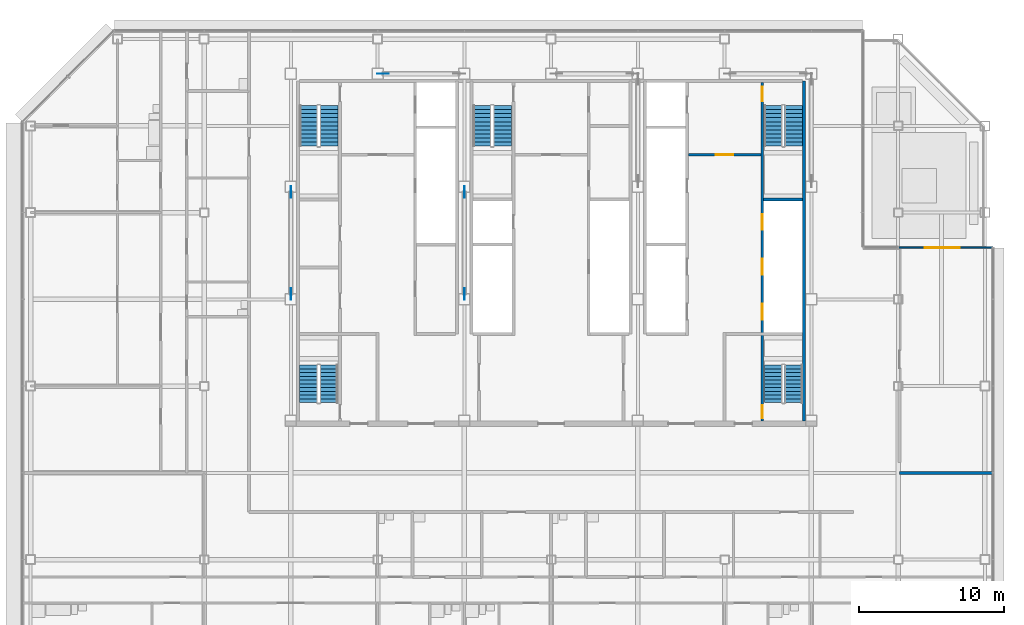
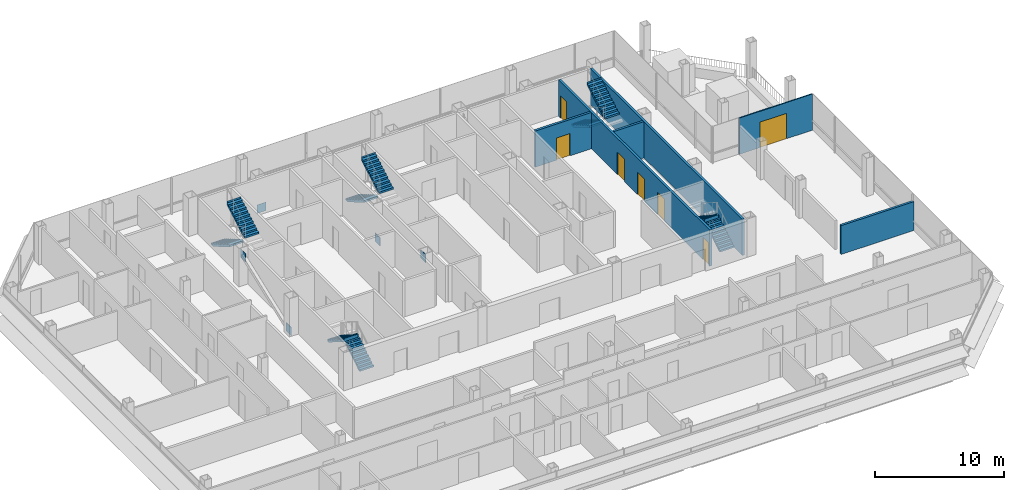
# One storey, part 24 of 29: 10 stair flights, 7 doors, 6 walls, 5 discrete accessories, 7 openings, 5 elements without a shape of their own.
"""IFC4 building model written with IfcOpenShell, lengths in metres."""

from ifc_helpers import new_model, si_unit, direction, frame, frame_2d, origin, origin_2d, place, context, subcontext, project, spatial, polyline, rectangle, outline, extrude, material, layer, layer_set, type_object, element, fill, aggregate, save


model = new_model("IFC4")

# Units and contexts
model_context = context("Model", 3, precision=1e-05, world=origin(), true_north=direction((0.0, 1.0)))
body_context = subcontext(model_context, "Body", "Model", "MODEL_VIEW")
ifc_project = project(units=[si_unit("LENGTHUNIT", "METRE"), si_unit("AREAUNIT", "SQUARE_METRE"), si_unit("VOLUMEUNIT", "CUBIC_METRE"), si_unit("PLANEANGLEUNIT", "RADIAN"), si_unit("MASSUNIT", "GRAM", prefix="KILO")], contexts=[model_context])

# Site, building, storey
site_placement = place(None, origin())
site = spatial("IfcSite", under=ifc_project, at=site_placement, CompositionType="ELEMENT")
building_placement = place(site_placement, origin())
building = spatial("IfcBuilding", under=site, at=building_placement, Name="Sorahane Residences", CompositionType="ELEMENT")
storey_placement = place(building_placement, frame((0.0, 0.0, 199.199951171875)))
storey = spatial("IfcBuildingStorey", under=building, at=storey_placement, Name="L46", CompositionType="ELEMENT", Elevation=199.199951171875)

# Walls
ifc_material_1 = material(Name="Concrete C30", Category="concrete")
ifc_layer_1 = layer(ifc_material_1, 0.199951171875)
ifc_layer_set_1 = layer_set([ifc_layer_1], Name="Core face wall 200 EI 180")
wall_type_1 = type_object("IfcWallType", Name="Core face wall 200 EI 180", PredefinedType="SOLIDWALL", material=ifc_layer_set_1)
wall_1_placement = place(storey_placement, frame((41.5, 21.60009765625, 0.0), z_axis=(0.0, 0.0, 1.0), x_axis=(0.0, 1.0, 0.0)))
element("IfcWall", 1, at=wall_1_placement, inside=storey, type_object=wall_type_1, Name="L46 core face wall", PredefinedType="SOLIDWALL", context=body_context, shape_type="SweptSolid", body=[
    extrude(rectangle(XDim=23.5, YDim=0.199951171875, at=frame_2d((11.75, 0.0))), origin(), (0.0, 0.0, 1.0), 3.420166015625),
])
ifc_material_2 = material(Name="Concrete blockwork C20 wall", Category="masonry")
ifc_layer_2 = layer(ifc_material_2, 0.199951171875)
ifc_layer_set_2 = layer_set([ifc_layer_2], Name="Corridor wall 200 EI 120")
wall_type_2 = type_object("IfcWallType", Name="Corridor wall 200 EI 120", PredefinedType="SOLIDWALL", material=ifc_layer_set_2)
wall_2_placement = place(storey_placement, frame((48.10009765625, 18.0, 0.0), z_axis=(0.0, 0.0, 1.0), x_axis=(1.0, 0.0, 0.0)))
element("IfcWall", 2, at=wall_2_placement, inside=storey, type_object=wall_type_2, Name="L46 corridor wall", PredefinedType="SOLIDWALL", context=body_context, shape_type="SweptSolid", body=[
    extrude(rectangle(XDim=6.5, YDim=0.199951171875, at=frame_2d((3.25, 0.0))), origin(), (0.0, 0.0, 1.0), 2.719970703125),
])

# Wall, opening, door
ifc_material_3 = material(Name="Concrete C30", Category="concrete")
ifc_layer_3 = layer(ifc_material_3, 0.199951171875)
ifc_layer_set_3 = layer_set([ifc_layer_3], Name="Front room wall 200 EI 120")
wall_type_3 = type_object("IfcWallType", Name="Front room wall 200 EI 120", PredefinedType="PARTITIONING", material=ifc_layer_set_3)
wall_3_placement = place(storey_placement, frame((33.5, 40.0, 0.0), z_axis=(0.0, 0.0, 1.0), x_axis=(1.0, 0.0, 0.0)))
wall_3 = element("IfcWall", 3, at=wall_3_placement, inside=storey, type_object=wall_type_3, Name="L46 front room wall", PredefinedType="PARTITIONING", context=body_context, shape_type="SweptSolid", body=[
    extrude(rectangle(XDim=5.0, YDim=0.199951171875, at=frame_2d((2.5, 0.0))), origin(), (0.0, 0.0, 1.0), 3.420166015625),
])
opening_1_placement = place(wall_3_placement, frame((1.89990234375, 0.0, 0.0)))
opening_1 = element("IfcOpeningElement", 4, at=opening_1_placement, cuts=wall_3, Name="Opening L46-C10", PredefinedType="OPENING", context=body_context, shape_type="SweptSolid", body=[
    extrude(rectangle(XDim=1.199951171875, YDim=2.10009765625, at=frame_2d((0.60009765625, 1.050048828125))), frame((0.0, 0.10986328125, 0.0), z_axis=(0.0, -1.0, 0.0), x_axis=(1.0, 0.0, 0.0)), (0.0, 0.0, 1.0), 0.219970703125),
])
ifc_material_4 = material(Name="Steel", Category="steel")
door_type_1 = type_object("IfcDoorType", Name="Front room door 1200x2100 FD120", OperationType="NOTDEFINED", PredefinedType="DOOR", material=ifc_material_4)
door_1_placement = place(opening_1_placement, frame((1.199951171875, 0.0, 0.0), z_axis=(0.0, 0.0, 1.0), x_axis=(-1.0, 0.0, 0.0)))
door_1 = element("IfcDoor", 5, at=door_1_placement, inside=storey, type_object=door_type_1, Name="Front room door Firefighting lobby FF2 front room L46", OperationType="DOUBLE_DOOR_SINGLE_SWING", OverallHeight=2.10009765625, OverallWidth=1.199951171875, PredefinedType="DOOR", context=body_context, shape_type="SweptSolid", body=[
    extrude(rectangle(XDim=1.199951171875, YDim=2.10009765625, at=frame_2d((0.60009765625, 1.050048828125))), frame((0.0, 0.02490234375, 0.0), z_axis=(0.0, -1.0, 0.0), x_axis=(1.0, 0.0, 0.0)), (0.0, 0.0, 1.0), 0.050048828125),
])
fill(opening_1, door_1)

ifc_material_5 = material(Name="Toughened low-iron glass", Category="glass")
ifc_layer_4 = layer(ifc_material_5, 0.10009765625)
ifc_layer_set_4 = layer_set([ifc_layer_4], Name="Glazed door screen toughened low-iron glass 100")
wall_type_4 = type_object("IfcWallType", Name="Glazed door screen toughened low-iron glass 100", PredefinedType="SOLIDWALL", material=ifc_layer_set_4)
wall_4_placement = place(storey_placement, frame((54.550048828125, 33.570068359375, 0.0), z_axis=(0.0, 0.0, 1.0), x_axis=(-1.0, 0.0, 0.0)))
wall_4 = element("IfcWall", 6, at=wall_4_placement, inside=storey, type_object=wall_type_4, Name="Glazed door screen L46 N1.1", PredefinedType="SOLIDWALL", context=body_context, shape_type="SweptSolid", body=[
    extrude(rectangle(XDim=6.525146484375, YDim=0.10009765625, at=frame_2d((3.2626953125, 0.0))), origin(), (0.0, 0.0, 1.0), 3.420166015625),
])
opening_2_placement = place(wall_4_placement, frame((2.300048828125, 0.0, 0.0)))
opening_2 = element("IfcOpeningElement", 7, at=opening_2_placement, cuts=wall_4, Name="Opening L46-F01", PredefinedType="OPENING", context=body_context, shape_type="SweptSolid", body=[
    extrude(rectangle(XDim=2.39990234375, YDim=2.39990234375, at=frame_2d((1.199951171875, 1.199951171875))), frame((0.0, 0.06005859375, 0.0), z_axis=(0.0, -1.0, 0.0), x_axis=(1.0, 0.0, 0.0)), (0.0, 0.0, 1.0), 0.1201171875),
])
ifc_material_6 = material(Name="Black anodised aluminium and low-iron glass", Category="aluminium")
door_type_2 = type_object("IfcDoorType", Name="Glazed terrace door black aluminium 2400x2400", OperationType="DOUBLE_DOOR_SINGLE_SWING", PredefinedType="DOOR", material=ifc_material_6)
door_2_placement = place(opening_2_placement, origin())
door_2 = element("IfcDoor", 8, at=door_2_placement, inside=storey, type_object=door_type_2, Name="Terrace door L46-F01", OperationType="DOUBLE_DOOR_SINGLE_SWING", OverallHeight=2.39990234375, OverallWidth=2.39990234375, PredefinedType="DOOR", context=body_context, shape_type="SweptSolid", body=[
    extrude(rectangle(XDim=2.39990234375, YDim=2.39990234375, at=frame_2d((1.199951171875, 1.199951171875))), frame((0.0, 0.02490234375, 0.0), z_axis=(0.0, -1.0, 0.0), x_axis=(1.0, 0.0, 0.0)), (0.0, 0.0, 1.0), 0.050048828125),
])
fill(opening_2, door_2)

# Wall, openings, doors
ifc_material_7 = material(Name="Concrete C30", Category="concrete")
ifc_layer_5 = layer(ifc_material_7, 0.199951171875)
ifc_layer_set_5 = layer_set([ifc_layer_5], Name="Stair enclosure wall 200 EI 120")
wall_type_5 = type_object("IfcWallType", Name="Stair enclosure wall 200 EI 120", PredefinedType="SOLIDWALL", material=ifc_layer_set_5)
wall_5_placement = place(storey_placement, frame((38.60009765625, 21.60009765625, 0.0), z_axis=(0.0, 0.0, 1.0), x_axis=(0.0, 1.0, 0.0)))
wall_5 = element("IfcWall", 9, at=wall_5_placement, inside=storey, type_object=wall_type_5, Name="L46 stair enclosure wall", PredefinedType="SOLIDWALL", context=body_context, shape_type="SweptSolid", body=[
    extrude(rectangle(XDim=23.39990234375, YDim=0.199951171875, at=frame_2d((11.699951171875, 0.0))), origin(), (0.0, 0.0, 1.0), 3.420166015625),
])
opening_3_placement = place(wall_5_placement, frame((7.0, 0.0, 0.0)))
opening_3 = element("IfcOpeningElement", 10, at=opening_3_placement, cuts=wall_5, Name="Opening L46-C11", PredefinedType="OPENING", context=body_context, shape_type="SweptSolid", body=[
    extrude(rectangle(XDim=1.10009765625, YDim=2.10009765625, at=frame_2d((0.550048828125, 1.050048828125))), frame((0.0, 0.10986328125, 0.0), z_axis=(0.0, -1.0, 0.0), x_axis=(1.0, 0.0, 0.0)), (0.0, 0.0, 1.0), 0.219970703125),
])
opening_4_placement = place(wall_5_placement, frame((10.10009765625, 0.0, 0.0)))
opening_4 = element("IfcOpeningElement", 11, at=opening_4_placement, cuts=wall_5, Name="Opening L46-C12", PredefinedType="OPENING", context=body_context, shape_type="SweptSolid", body=[
    extrude(rectangle(XDim=1.10009765625, YDim=2.10009765625, at=frame_2d((0.550048828125, 1.050048828125))), frame((0.0, 0.10986328125, 0.0), z_axis=(0.0, -1.0, 0.0), x_axis=(1.0, 0.0, 0.0)), (0.0, 0.0, 1.0), 0.219970703125),
])
opening_5_placement = place(wall_5_placement, frame((13.199951171875, 0.0, 0.0)))
opening_5 = element("IfcOpeningElement", 12, at=opening_5_placement, cuts=wall_5, Name="Opening L46-C13", PredefinedType="OPENING", context=body_context, shape_type="SweptSolid", body=[
    extrude(rectangle(XDim=1.10009765625, YDim=2.10009765625, at=frame_2d((0.550048828125, 1.050048828125))), frame((0.0, 0.10986328125, 0.0), z_axis=(0.0, -1.0, 0.0), x_axis=(1.0, 0.0, 0.0)), (0.0, 0.0, 1.0), 0.219970703125),
])
opening_6_placement = place(wall_5_placement, frame((22.10009765625, 0.0, 0.0)))
opening_6 = element("IfcOpeningElement", 13, at=opening_6_placement, cuts=wall_5, Name="Opening L46-C22", PredefinedType="OPENING", context=body_context, shape_type="SweptSolid", body=[
    extrude(rectangle(XDim=1.0, YDim=2.10009765625, at=frame_2d((0.5, 1.050048828125))), frame((0.0, 0.10986328125, 0.0), z_axis=(0.0, -1.0, 0.0), x_axis=(1.0, 0.0, 0.0)), (0.0, 0.0, 1.0), 0.219970703125),
])
opening_7_placement = place(wall_5_placement, frame((0.175048828125, 0.0, 0.0)))
opening_7 = element("IfcOpeningElement", 14, at=opening_7_placement, cuts=wall_5, Name="Opening L46-C25", PredefinedType="OPENING", context=body_context, shape_type="SweptSolid", body=[
    extrude(rectangle(XDim=0.89990234375, YDim=2.10009765625, at=frame_2d((0.449951171875, 1.050048828125))), frame((0.0, 0.10986328125, 0.0), z_axis=(0.0, -1.0, 0.0), x_axis=(1.0, 0.0, 0.0)), (0.0, 0.0, 1.0), 0.219970703125),
])
ifc_material_8 = material(Name="Aluminium and stainless steel", Category="steel")
door_type_3 = type_object("IfcDoorType", Name="Lift landing door 1100x2100 E 60", OperationType="NOTDEFINED", PredefinedType="DOOR", material=ifc_material_8)
door_3_placement = place(opening_3_placement, origin())
door_3 = element("IfcDoor", 15, at=door_3_placement, inside=storey, type_object=door_type_3, Name="Lift landing door HR1 L46", OperationType="DOUBLE_DOOR_SLIDING", OverallHeight=2.10009765625, OverallWidth=1.10009765625, PredefinedType="DOOR", context=body_context, shape_type="SweptSolid", body=[
    extrude(rectangle(XDim=1.10009765625, YDim=2.10009765625, at=frame_2d((0.550048828125, 1.050048828125))), frame((0.0, 0.02490234375, 0.0), z_axis=(0.0, -1.0, 0.0), x_axis=(1.0, 0.0, 0.0)), (0.0, 0.0, 1.0), 0.050048828125),
])
fill(opening_3, door_3)
door_4_placement = place(opening_4_placement, origin())
door_4 = element("IfcDoor", 16, at=door_4_placement, inside=storey, type_object=door_type_3, Name="Lift landing door HR2 L46", OperationType="DOUBLE_DOOR_SLIDING", OverallHeight=2.10009765625, OverallWidth=1.10009765625, PredefinedType="DOOR", context=body_context, shape_type="SweptSolid", body=[
    extrude(rectangle(XDim=1.10009765625, YDim=2.10009765625, at=frame_2d((0.550048828125, 1.050048828125))), frame((0.0, 0.02490234375, 0.0), z_axis=(0.0, -1.0, 0.0), x_axis=(1.0, 0.0, 0.0)), (0.0, 0.0, 1.0), 0.050048828125),
])
fill(opening_4, door_4)
door_5_placement = place(opening_5_placement, origin())
door_5 = element("IfcDoor", 17, at=door_5_placement, inside=storey, type_object=door_type_3, Name="Lift landing door HR3 L46", OperationType="DOUBLE_DOOR_SLIDING", OverallHeight=2.10009765625, OverallWidth=1.10009765625, PredefinedType="DOOR", context=body_context, shape_type="SweptSolid", body=[
    extrude(rectangle(XDim=1.10009765625, YDim=2.10009765625, at=frame_2d((0.550048828125, 1.050048828125))), frame((0.0, 0.02490234375, 0.0), z_axis=(0.0, -1.0, 0.0), x_axis=(1.0, 0.0, 0.0)), (0.0, 0.0, 1.0), 0.050048828125),
])
fill(opening_5, door_5)
ifc_material_9 = material(Name="Steel", Category="steel")
door_type_4 = type_object("IfcDoorType", Name="Stair door 1000x2100 FD120", OperationType="NOTDEFINED", PredefinedType="DOOR", material=ifc_material_9)
door_6_placement = place(opening_6_placement, frame((1.0, 0.0, 0.0), z_axis=(0.0, 0.0, 1.0), x_axis=(-1.0, 0.0, 0.0)))
door_6 = element("IfcDoor", 18, at=door_6_placement, inside=storey, type_object=door_type_4, Name="Stair door S2 L46", OperationType="SINGLE_SWING_LEFT", OverallHeight=2.10009765625, OverallWidth=1.0, PredefinedType="DOOR", context=body_context, shape_type="SweptSolid", body=[
    extrude(rectangle(XDim=1.0, YDim=2.10009765625, at=frame_2d((0.5, 1.050048828125))), frame((0.0, 0.02490234375, 0.0), z_axis=(0.0, -1.0, 0.0), x_axis=(1.0, 0.0, 0.0)), (0.0, 0.0, 1.0), 0.050048828125),
])
fill(opening_6, door_6)
ifc_material_10 = material(Name="Steel", Category="steel")
door_type_5 = type_object("IfcDoorType", Name="Stair door 900x2100 FD120", OperationType="NOTDEFINED", PredefinedType="DOOR", material=ifc_material_10)
door_7_placement = place(opening_7_placement, frame((0.89990234375, 0.0, 0.0), z_axis=(0.0, 0.0, 1.0), x_axis=(-1.0, 0.0, 0.0)))
door_7 = element("IfcDoor", 19, at=door_7_placement, inside=storey, type_object=door_type_5, Name="Stair door S5 L46", OperationType="SINGLE_SWING_LEFT", OverallHeight=2.10009765625, OverallWidth=0.89990234375, PredefinedType="DOOR", context=body_context, shape_type="SweptSolid", body=[
    extrude(rectangle(XDim=0.89990234375, YDim=2.10009765625, at=frame_2d((0.449951171875, 1.050048828125))), frame((0.0, 0.02490234375, 0.0), z_axis=(0.0, -1.0, 0.0), x_axis=(1.0, 0.0, 0.0)), (0.0, 0.0, 1.0), 0.050048828125),
])
fill(opening_7, door_7)

# Wall
wall_6_placement = place(storey_placement, frame((38.699951171875, 36.89990234375, 0.0), z_axis=(0.0, 0.0, 1.0), x_axis=(1.0, 0.0, 0.0)))
element("IfcWall", 20, at=wall_6_placement, inside=storey, type_object=wall_type_5, Name="L46 stair enclosure wall", PredefinedType="SOLIDWALL", context=body_context, shape_type="SweptSolid", body=[
    extrude(rectangle(XDim=2.699951171875, YDim=0.199951171875, at=frame_2d((1.35009765625, 0.0))), origin(), (0.0, 0.0, 1.0), 3.420166015625),
])

# Stair, stair flights
ifc_material_11 = material(Name="Concrete C40", Category="concrete")
stair_type = type_object("IfcStairType", Name="Dog-leg stair 1250 Concrete C40", PredefinedType="HALF_TURN_STAIR", material=ifc_material_11)
stair_1_placement = place(storey_placement, origin())
stair_1 = element("IfcStair", 21, at=stair_1_placement, inside=storey, type_object=stair_type, Name="L46 Stair S1", PredefinedType="HALF_TURN_STAIR")
ifc_material_12 = material(Name="Concrete C40", Category="concrete")
stair_flight_type = type_object("IfcStairFlightType", Name="Stair flight 1250 Concrete C40", PredefinedType="STRAIGHT", material=ifc_material_12)
stair_flight_1_placement = place(storey_placement, frame((7.22509765625, 43.39990234375, 0.0), z_axis=(0.0, 0.0, 1.0), x_axis=(0.0, -1.0, 0.0)))
stair_flight_1 = element("IfcStairFlight", 22, at=stair_flight_1_placement, type_object=stair_flight_type, Name="S1 flight 1", NumberOfRisers=11, NumberOfTreads=10, PredefinedType="STRAIGHT", RiserHeight=0.163636364, TreadLength=0.28, context=body_context, shape_type="SweptSolid", body=[
    extrude(outline(polyline([(-0.00146484375, 0.0), (-0.00146484375, 0.16357421875), (0.0, 0.16357421875), (0.280029296875, 0.16357421875), (0.280029296875, 0.327392578125), (0.56005859375, 0.327392578125), (0.56005859375, 0.490966796875), (0.840087890625, 0.490966796875), (0.840087890625, 0.654541015625), (1.1201171875, 0.654541015625), (1.1201171875, 0.818115234375), (1.39990234375, 0.818115234375), (1.39990234375, 0.98193359375), (1.679931640625, 0.98193359375), (1.679931640625, 1.1455078125), (1.9599609375, 1.1455078125), (1.9599609375, 1.30908203125), (2.239990234375, 1.30908203125), (2.239990234375, 1.47265625), (2.52001953125, 1.47265625), (2.52001953125, 1.636474609375), (2.800048828125, 1.636474609375), (2.800048828125, 1.800048828125), (2.800048828125, 1.462646484375), (2.59130859375, 1.3408203125), (2.3828125, 1.218994140625), (2.17431640625, 1.09716796875), (1.965576171875, 0.97509765625), (1.757080078125, 0.853271484375), (1.548583984375, 0.7314453125), (1.340087890625, 0.609375), (1.13134765625, 0.487548828125), (0.9228515625, 0.36572265625), (0.71435546875, 0.243896484375), (0.505615234375, 0.121826171875), (0.297119140625, 0.0), (-0.00146484375, 0.0)])), frame((0.0, 0.625, 0.0), z_axis=(0.0, -1.0, 0.0), x_axis=(1.0, 0.0, 0.0)), (0.0, 0.0, 1.0), 1.25),
])
stair_flight_2_placement = place(storey_placement, frame((8.625, 40.60009765625, 1.800048828125), z_axis=(0.0, 0.0, 1.0), x_axis=(0.0, 1.0, 0.0)))
stair_flight_2 = element("IfcStairFlight", 23, at=stair_flight_2_placement, type_object=stair_flight_type, Name="S1 flight 2", NumberOfRisers=11, NumberOfTreads=10, PredefinedType="STRAIGHT", RiserHeight=0.163636364, TreadLength=0.28, context=body_context, shape_type="SweptSolid", body=[
    extrude(outline(polyline([(0.0, 0.0), (0.0, 0.16357421875), (0.280029296875, 0.16357421875), (0.280029296875, 0.327392578125), (0.56005859375, 0.327392578125), (0.56005859375, 0.490966796875), (0.840087890625, 0.490966796875), (0.840087890625, 0.654541015625), (1.1201171875, 0.654541015625), (1.1201171875, 0.818115234375), (1.39990234375, 0.818115234375), (1.39990234375, 0.98193359375), (1.679931640625, 0.98193359375), (1.679931640625, 1.1455078125), (1.9599609375, 1.1455078125), (1.9599609375, 1.30908203125), (2.239990234375, 1.30908203125), (2.239990234375, 1.47265625), (2.52001953125, 1.47265625), (2.52001953125, 1.636474609375), (2.800048828125, 1.636474609375), (2.800048828125, 1.800048828125), (2.801513671875, 1.800048828125), (2.801513671875, 1.462646484375), (2.5927734375, 1.3408203125), (2.384033203125, 1.218994140625), (2.17529296875, 1.09716796875), (1.966796875, 0.97509765625), (1.758056640625, 0.853271484375), (1.54931640625, 0.7314453125), (1.340576171875, 0.609375), (1.1318359375, 0.487548828125), (0.923095703125, 0.36572265625), (0.714599609375, 0.243896484375), (0.505859375, 0.121826171875), (0.297119140625, 0.0), (0.0, 0.0)])), frame((0.0, 0.625, 0.0), z_axis=(0.0, -1.0, 0.0), x_axis=(1.0, 0.0, 0.0)), (0.0, 0.0, 1.0), 1.25),
])
aggregate(stair_1, [stair_flight_1, stair_flight_2])

stair_2_placement = place(storey_placement, origin())
stair_2 = element("IfcStair", 24, at=stair_2_placement, inside=storey, type_object=stair_type, Name="L46 Stair S2", PredefinedType="HALF_TURN_STAIR")
stair_flight_3_placement = place(storey_placement, frame((39.375, 43.39990234375, 0.0), z_axis=(0.0, 0.0, 1.0), x_axis=(0.0, -1.0, 0.0)))
stair_flight_3 = element("IfcStairFlight", 25, at=stair_flight_3_placement, type_object=stair_flight_type, Name="S2 flight 1", NumberOfRisers=11, NumberOfTreads=10, PredefinedType="STRAIGHT", RiserHeight=0.163636364, TreadLength=0.28, context=body_context, shape_type="SweptSolid", body=[
    extrude(outline(polyline([(-0.00146484375, 0.0), (-0.00146484375, 0.16357421875), (0.0, 0.16357421875), (0.280029296875, 0.16357421875), (0.280029296875, 0.327392578125), (0.56005859375, 0.327392578125), (0.56005859375, 0.490966796875), (0.840087890625, 0.490966796875), (0.840087890625, 0.654541015625), (1.1201171875, 0.654541015625), (1.1201171875, 0.818115234375), (1.39990234375, 0.818115234375), (1.39990234375, 0.98193359375), (1.679931640625, 0.98193359375), (1.679931640625, 1.1455078125), (1.9599609375, 1.1455078125), (1.9599609375, 1.30908203125), (2.239990234375, 1.30908203125), (2.239990234375, 1.47265625), (2.52001953125, 1.47265625), (2.52001953125, 1.636474609375), (2.800048828125, 1.636474609375), (2.800048828125, 1.800048828125), (2.800048828125, 1.462646484375), (2.59130859375, 1.3408203125), (2.3828125, 1.218994140625), (2.17431640625, 1.09716796875), (1.965576171875, 0.97509765625), (1.757080078125, 0.853271484375), (1.548583984375, 0.7314453125), (1.340087890625, 0.609375), (1.13134765625, 0.487548828125), (0.9228515625, 0.36572265625), (0.71435546875, 0.243896484375), (0.505615234375, 0.121826171875), (0.297119140625, 0.0), (-0.00146484375, 0.0)])), frame((0.0, 0.625, 0.0), z_axis=(0.0, -1.0, 0.0), x_axis=(1.0, 0.0, 0.0)), (0.0, 0.0, 1.0), 1.25),
])
stair_flight_4_placement = place(storey_placement, frame((40.77490234375, 40.60009765625, 1.800048828125), z_axis=(0.0, 0.0, 1.0), x_axis=(0.0, 1.0, 0.0)))
stair_flight_4 = element("IfcStairFlight", 26, at=stair_flight_4_placement, type_object=stair_flight_type, Name="S2 flight 2", NumberOfRisers=11, NumberOfTreads=10, PredefinedType="STRAIGHT", RiserHeight=0.163636364, TreadLength=0.28, context=body_context, shape_type="SweptSolid", body=[
    extrude(outline(polyline([(0.0, 0.0), (0.0, 0.16357421875), (0.280029296875, 0.16357421875), (0.280029296875, 0.327392578125), (0.56005859375, 0.327392578125), (0.56005859375, 0.490966796875), (0.840087890625, 0.490966796875), (0.840087890625, 0.654541015625), (1.1201171875, 0.654541015625), (1.1201171875, 0.818115234375), (1.39990234375, 0.818115234375), (1.39990234375, 0.98193359375), (1.679931640625, 0.98193359375), (1.679931640625, 1.1455078125), (1.9599609375, 1.1455078125), (1.9599609375, 1.30908203125), (2.239990234375, 1.30908203125), (2.239990234375, 1.47265625), (2.52001953125, 1.47265625), (2.52001953125, 1.636474609375), (2.800048828125, 1.636474609375), (2.800048828125, 1.800048828125), (2.801513671875, 1.800048828125), (2.801513671875, 1.462646484375), (2.5927734375, 1.3408203125), (2.384033203125, 1.218994140625), (2.17529296875, 1.09716796875), (1.966796875, 0.97509765625), (1.758056640625, 0.853271484375), (1.54931640625, 0.7314453125), (1.340576171875, 0.609375), (1.1318359375, 0.487548828125), (0.923095703125, 0.36572265625), (0.714599609375, 0.243896484375), (0.505859375, 0.121826171875), (0.297119140625, 0.0), (0.0, 0.0)])), frame((0.0, 0.625, 0.0), z_axis=(0.0, -1.0, 0.0), x_axis=(1.0, 0.0, 0.0)), (0.0, 0.0, 1.0), 1.25),
])
aggregate(stair_2, [stair_flight_3, stair_flight_4])

stair_3_placement = place(storey_placement, origin())
stair_3 = element("IfcStair", 27, at=stair_3_placement, inside=storey, type_object=stair_type, Name="L46 Stair S3", PredefinedType="HALF_TURN_STAIR")
stair_flight_5_placement = place(storey_placement, frame((19.22509765625, 43.39990234375, 0.0), z_axis=(0.0, 0.0, 1.0), x_axis=(0.0, -1.0, 0.0)))
stair_flight_5 = element("IfcStairFlight", 28, at=stair_flight_5_placement, type_object=stair_flight_type, Name="S3 flight 1", NumberOfRisers=11, NumberOfTreads=10, PredefinedType="STRAIGHT", RiserHeight=0.163636364, TreadLength=0.28, context=body_context, shape_type="SweptSolid", body=[
    extrude(outline(polyline([(-0.00146484375, 0.0), (-0.00146484375, 0.16357421875), (0.0, 0.16357421875), (0.280029296875, 0.16357421875), (0.280029296875, 0.327392578125), (0.56005859375, 0.327392578125), (0.56005859375, 0.490966796875), (0.840087890625, 0.490966796875), (0.840087890625, 0.654541015625), (1.1201171875, 0.654541015625), (1.1201171875, 0.818115234375), (1.39990234375, 0.818115234375), (1.39990234375, 0.98193359375), (1.679931640625, 0.98193359375), (1.679931640625, 1.1455078125), (1.9599609375, 1.1455078125), (1.9599609375, 1.30908203125), (2.239990234375, 1.30908203125), (2.239990234375, 1.47265625), (2.52001953125, 1.47265625), (2.52001953125, 1.636474609375), (2.800048828125, 1.636474609375), (2.800048828125, 1.800048828125), (2.800048828125, 1.462646484375), (2.59130859375, 1.3408203125), (2.3828125, 1.218994140625), (2.17431640625, 1.09716796875), (1.965576171875, 0.97509765625), (1.757080078125, 0.853271484375), (1.548583984375, 0.7314453125), (1.340087890625, 0.609375), (1.13134765625, 0.487548828125), (0.9228515625, 0.36572265625), (0.71435546875, 0.243896484375), (0.505615234375, 0.121826171875), (0.297119140625, 0.0), (-0.00146484375, 0.0)])), frame((0.0, 0.625, 0.0), z_axis=(0.0, -1.0, 0.0), x_axis=(1.0, 0.0, 0.0)), (0.0, 0.0, 1.0), 1.25),
])
stair_flight_6_placement = place(storey_placement, frame((20.625, 40.60009765625, 1.800048828125), z_axis=(0.0, 0.0, 1.0), x_axis=(0.0, 1.0, 0.0)))
stair_flight_6 = element("IfcStairFlight", 29, at=stair_flight_6_placement, type_object=stair_flight_type, Name="S3 flight 2", NumberOfRisers=11, NumberOfTreads=10, PredefinedType="STRAIGHT", RiserHeight=0.163636364, TreadLength=0.28, context=body_context, shape_type="SweptSolid", body=[
    extrude(outline(polyline([(0.0, 0.0), (0.0, 0.16357421875), (0.280029296875, 0.16357421875), (0.280029296875, 0.327392578125), (0.56005859375, 0.327392578125), (0.56005859375, 0.490966796875), (0.840087890625, 0.490966796875), (0.840087890625, 0.654541015625), (1.1201171875, 0.654541015625), (1.1201171875, 0.818115234375), (1.39990234375, 0.818115234375), (1.39990234375, 0.98193359375), (1.679931640625, 0.98193359375), (1.679931640625, 1.1455078125), (1.9599609375, 1.1455078125), (1.9599609375, 1.30908203125), (2.239990234375, 1.30908203125), (2.239990234375, 1.47265625), (2.52001953125, 1.47265625), (2.52001953125, 1.636474609375), (2.800048828125, 1.636474609375), (2.800048828125, 1.800048828125), (2.801513671875, 1.800048828125), (2.801513671875, 1.462646484375), (2.5927734375, 1.3408203125), (2.384033203125, 1.218994140625), (2.17529296875, 1.09716796875), (1.966796875, 0.97509765625), (1.758056640625, 0.853271484375), (1.54931640625, 0.7314453125), (1.340576171875, 0.609375), (1.1318359375, 0.487548828125), (0.923095703125, 0.36572265625), (0.714599609375, 0.243896484375), (0.505859375, 0.121826171875), (0.297119140625, 0.0), (0.0, 0.0)])), frame((0.0, 0.625, 0.0), z_axis=(0.0, -1.0, 0.0), x_axis=(1.0, 0.0, 0.0)), (0.0, 0.0, 1.0), 1.25),
])
aggregate(stair_3, [stair_flight_5, stair_flight_6])

stair_4_placement = place(storey_placement, origin())
stair_4 = element("IfcStair", 30, at=stair_4_placement, inside=storey, type_object=stair_type, Name="L46 Stair S4", PredefinedType="HALF_TURN_STAIR")
stair_flight_7_placement = place(storey_placement, frame((8.625, 22.85009765625, 0.0), z_axis=(0.0, 0.0, 1.0), x_axis=(0.0, 1.0, 0.0)))
stair_flight_7 = element("IfcStairFlight", 31, at=stair_flight_7_placement, type_object=stair_flight_type, Name="S4 flight 1", NumberOfRisers=11, NumberOfTreads=10, PredefinedType="STRAIGHT", RiserHeight=0.163636364, TreadLength=0.26, context=body_context, shape_type="SweptSolid", body=[
    extrude(outline(polyline([(-0.00146484375, 0.0), (-0.00146484375, 0.16357421875), (0.0, 0.16357421875), (0.260009765625, 0.16357421875), (0.260009765625, 0.327392578125), (0.52001953125, 0.327392578125), (0.52001953125, 0.490966796875), (0.780029296875, 0.490966796875), (0.780029296875, 0.654541015625), (1.0400390625, 0.654541015625), (1.0400390625, 0.818115234375), (1.300048828125, 0.818115234375), (1.300048828125, 0.98193359375), (1.56005859375, 0.98193359375), (1.56005859375, 1.1455078125), (1.820068359375, 1.1455078125), (1.820068359375, 1.30908203125), (2.080078125, 1.30908203125), (2.080078125, 1.47265625), (2.340087890625, 1.47265625), (2.340087890625, 1.636474609375), (2.60009765625, 1.636474609375), (2.60009765625, 1.800048828125), (2.60009765625, 1.494384765625), (2.402099609375, 1.369873046875), (2.204345703125, 1.245361328125), (2.00634765625, 1.120849609375), (1.80859375, 0.996337890625), (1.610595703125, 0.871826171875), (1.412841796875, 0.747314453125), (1.21484375, 0.622802734375), (1.01708984375, 0.498046875), (0.819091796875, 0.37353515625), (0.621337890625, 0.2490234375), (0.42333984375, 0.12451171875), (0.2255859375, 0.0), (-0.00146484375, 0.0)])), frame((0.0, 0.625, 0.0), z_axis=(0.0, -1.0, 0.0), x_axis=(1.0, 0.0, 0.0)), (0.0, 0.0, 1.0), 1.25),
])
stair_flight_8_placement = place(storey_placement, frame((7.22509765625, 25.449951171875, 1.800048828125), z_axis=(0.0, 0.0, 1.0), x_axis=(0.0, -1.0, 0.0)))
stair_flight_8 = element("IfcStairFlight", 32, at=stair_flight_8_placement, type_object=stair_flight_type, Name="S4 flight 2", NumberOfRisers=11, NumberOfTreads=10, PredefinedType="STRAIGHT", RiserHeight=0.163636364, TreadLength=0.26, context=body_context, shape_type="SweptSolid", body=[
    extrude(outline(polyline([(0.0, 0.0), (0.0, 0.16357421875), (0.260009765625, 0.16357421875), (0.260009765625, 0.327392578125), (0.52001953125, 0.327392578125), (0.52001953125, 0.490966796875), (0.780029296875, 0.490966796875), (0.780029296875, 0.654541015625), (1.0400390625, 0.654541015625), (1.0400390625, 0.818115234375), (1.300048828125, 0.818115234375), (1.300048828125, 0.98193359375), (1.56005859375, 0.98193359375), (1.56005859375, 1.1455078125), (1.820068359375, 1.1455078125), (1.820068359375, 1.30908203125), (2.080078125, 1.30908203125), (2.080078125, 1.47265625), (2.340087890625, 1.47265625), (2.340087890625, 1.636474609375), (2.60009765625, 1.636474609375), (2.60009765625, 1.800048828125), (2.6015625, 1.800048828125), (2.6015625, 1.494384765625), (2.403564453125, 1.369873046875), (2.20556640625, 1.245361328125), (2.007568359375, 1.120849609375), (1.8095703125, 0.996337890625), (1.611572265625, 0.871826171875), (1.41357421875, 0.747314453125), (1.215576171875, 0.622802734375), (1.017578125, 0.498046875), (0.819580078125, 0.37353515625), (0.62158203125, 0.2490234375), (0.423583984375, 0.12451171875), (0.2255859375, 0.0), (0.0, 0.0)])), frame((0.0, 0.625, 0.0), z_axis=(0.0, -1.0, 0.0), x_axis=(1.0, 0.0, 0.0)), (0.0, 0.0, 1.0), 1.25),
])
aggregate(stair_4, [stair_flight_7, stair_flight_8])

stair_5_placement = place(storey_placement, origin())
stair_5 = element("IfcStair", 33, at=stair_5_placement, inside=storey, type_object=stair_type, Name="L46 Stair S5", PredefinedType="HALF_TURN_STAIR")
stair_flight_9_placement = place(storey_placement, frame((40.77490234375, 22.85009765625, 0.0), z_axis=(0.0, 0.0, 1.0), x_axis=(0.0, 1.0, 0.0)))
stair_flight_9 = element("IfcStairFlight", 34, at=stair_flight_9_placement, type_object=stair_flight_type, Name="S5 flight 1", NumberOfRisers=11, NumberOfTreads=10, PredefinedType="STRAIGHT", RiserHeight=0.163636364, TreadLength=0.26, context=body_context, shape_type="SweptSolid", body=[
    extrude(outline(polyline([(-0.00146484375, 0.0), (-0.00146484375, 0.16357421875), (0.0, 0.16357421875), (0.260009765625, 0.16357421875), (0.260009765625, 0.327392578125), (0.52001953125, 0.327392578125), (0.52001953125, 0.490966796875), (0.780029296875, 0.490966796875), (0.780029296875, 0.654541015625), (1.0400390625, 0.654541015625), (1.0400390625, 0.818115234375), (1.300048828125, 0.818115234375), (1.300048828125, 0.98193359375), (1.56005859375, 0.98193359375), (1.56005859375, 1.1455078125), (1.820068359375, 1.1455078125), (1.820068359375, 1.30908203125), (2.080078125, 1.30908203125), (2.080078125, 1.47265625), (2.340087890625, 1.47265625), (2.340087890625, 1.636474609375), (2.60009765625, 1.636474609375), (2.60009765625, 1.800048828125), (2.60009765625, 1.494384765625), (2.402099609375, 1.369873046875), (2.204345703125, 1.245361328125), (2.00634765625, 1.120849609375), (1.80859375, 0.996337890625), (1.610595703125, 0.871826171875), (1.412841796875, 0.747314453125), (1.21484375, 0.622802734375), (1.01708984375, 0.498046875), (0.819091796875, 0.37353515625), (0.621337890625, 0.2490234375), (0.42333984375, 0.12451171875), (0.2255859375, 0.0), (-0.00146484375, 0.0)])), frame((0.0, 0.625, 0.0), z_axis=(0.0, -1.0, 0.0), x_axis=(1.0, 0.0, 0.0)), (0.0, 0.0, 1.0), 1.25),
])
stair_flight_10_placement = place(storey_placement, frame((39.375, 25.449951171875, 1.800048828125), z_axis=(0.0, 0.0, 1.0), x_axis=(0.0, -1.0, 0.0)))
stair_flight_10 = element("IfcStairFlight", 35, at=stair_flight_10_placement, type_object=stair_flight_type, Name="S5 flight 2", NumberOfRisers=11, NumberOfTreads=10, PredefinedType="STRAIGHT", RiserHeight=0.163636364, TreadLength=0.26, context=body_context, shape_type="SweptSolid", body=[
    extrude(outline(polyline([(0.0, 0.0), (0.0, 0.16357421875), (0.260009765625, 0.16357421875), (0.260009765625, 0.327392578125), (0.52001953125, 0.327392578125), (0.52001953125, 0.490966796875), (0.780029296875, 0.490966796875), (0.780029296875, 0.654541015625), (1.0400390625, 0.654541015625), (1.0400390625, 0.818115234375), (1.300048828125, 0.818115234375), (1.300048828125, 0.98193359375), (1.56005859375, 0.98193359375), (1.56005859375, 1.1455078125), (1.820068359375, 1.1455078125), (1.820068359375, 1.30908203125), (2.080078125, 1.30908203125), (2.080078125, 1.47265625), (2.340087890625, 1.47265625), (2.340087890625, 1.636474609375), (2.60009765625, 1.636474609375), (2.60009765625, 1.800048828125), (2.6015625, 1.800048828125), (2.6015625, 1.494384765625), (2.403564453125, 1.369873046875), (2.20556640625, 1.245361328125), (2.007568359375, 1.120849609375), (1.8095703125, 0.996337890625), (1.611572265625, 0.871826171875), (1.41357421875, 0.747314453125), (1.215576171875, 0.622802734375), (1.017578125, 0.498046875), (0.819580078125, 0.37353515625), (0.62158203125, 0.2490234375), (0.423583984375, 0.12451171875), (0.2255859375, 0.0), (0.0, 0.0)])), frame((0.0, 0.625, 0.0), z_axis=(0.0, -1.0, 0.0), x_axis=(1.0, 0.0, 0.0)), (0.0, 0.0, 1.0), 1.25),
])
aggregate(stair_5, [stair_flight_9, stair_flight_10])

# Discrete accessories
ifc_material_13 = material(Name="Steel Q355B", Category="steel")
ifc_layer_6 = layer(ifc_material_13, 0.02490234375)
ifc_layer_set_6 = layer_set([ifc_layer_6], Name="Node plate Steel Q355B 25")
discrete_accessory_type = type_object("IfcDiscreteAccessoryType", Name="Node plate Steel Q355B 25", PredefinedType="BRACKET", material=ifc_layer_set_6)
for number, where, z_axis, x_axis, name in (
    (36, (6.0, 30.367919921875, -0.26220703125), (0.0, 0.0, 1.0), (0.0, 1.0, 0.0), "Node plate L46 br"),
    (37, (6.0, 37.43212890625, 2.43212890625), (0.0, 0.0, 1.0), (0.0, 1.0, 0.0), "Node plate L46 br"),
    (38, (18.0, 37.43212890625, -0.26220703125), (0.0, 0.0, 1.0), (0.0, 1.0, 0.0), "Node plate L46 br"),
    (39, (18.0, 30.367919921875, 2.43212890625), (0.0, 0.0, 1.0), (0.0, 1.0, 0.0), "Node plate L46 br"),
    (40, (12.35888671875, 45.60009765625, -0.27099609375), (0.0, 0.0, 1.0), (1.0, 0.0, 0.0), "Node plate L46 br"),
):
    element("IfcDiscreteAccessory", number, at=place(storey_placement, frame(where, z_axis=z_axis, x_axis=x_axis)), inside=storey, type_object=discrete_accessory_type, Name=name, PredefinedType="BRACKET", context=body_context, shape_type="SweptSolid", body=[
        extrude(rectangle(XDim=0.800048828125, YDim=0.02490234375, at=origin_2d()), origin(), (0.0, 0.0, 1.0), 0.800048828125),
    ])

save(model, "model.ifc")
